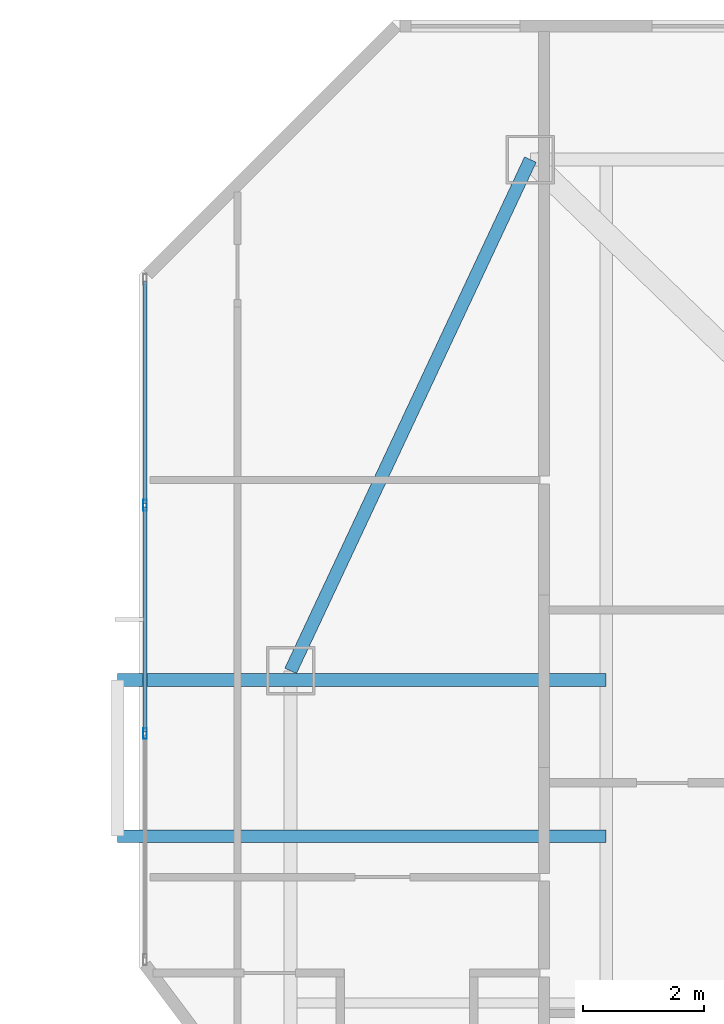
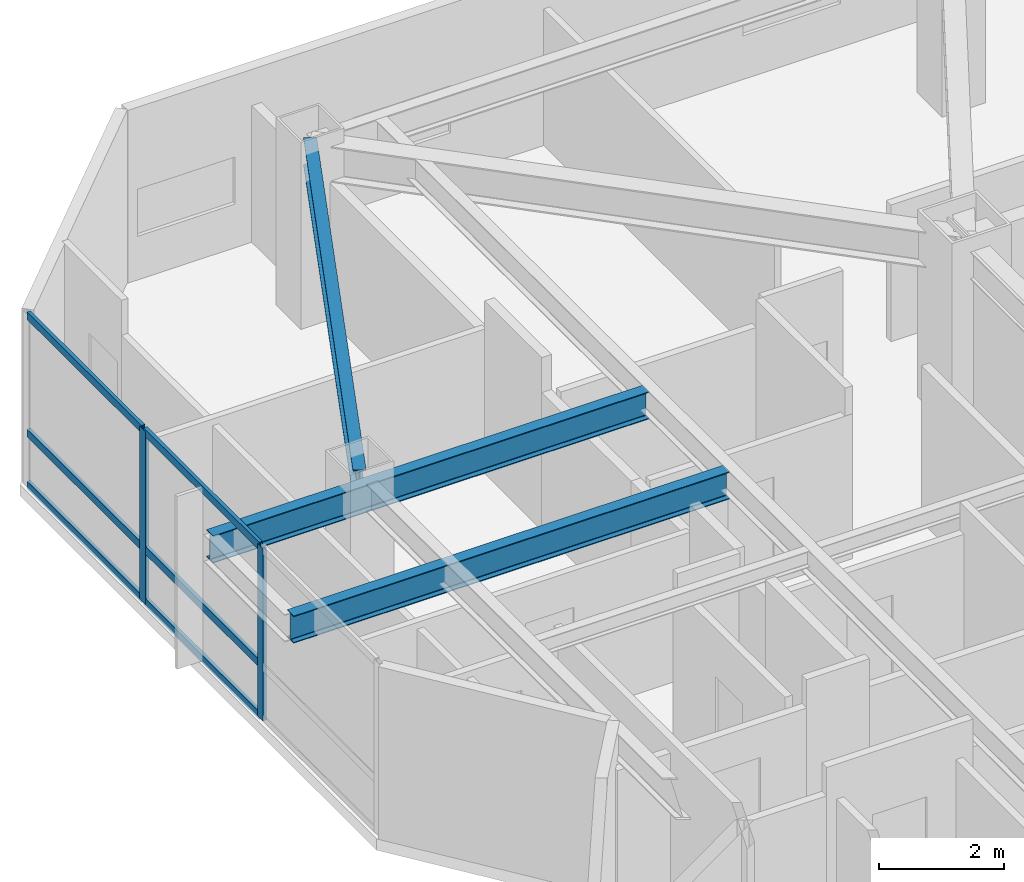
# One storey, part 4 of 20: 8 members, 3 beams, 1 element without a shape of its own.
"""IFC4 building model written with IfcOpenShell, lengths in metres."""

from ifc_helpers import new_model, si_unit, direction, frame, origin, origin_2d, place, context, subcontext, project, spatial, hollow_rectangle, i_section, extrude, material, material_profile, profile_set, type_object, element, aggregate, save


model = new_model("IFC4")

# Units and contexts
model_context = context("Model", 3, precision=1e-05, world=origin(), true_north=direction((0.0, 1.0)))
body_context = subcontext(model_context, "Body", "Model", "MODEL_VIEW")
ifc_project = project(units=[si_unit("LENGTHUNIT", "METRE"), si_unit("AREAUNIT", "SQUARE_METRE"), si_unit("VOLUMEUNIT", "CUBIC_METRE"), si_unit("PLANEANGLEUNIT", "RADIAN"), si_unit("MASSUNIT", "GRAM", prefix="KILO")], contexts=[model_context])

# Site, building, storey
site_placement = place(None, origin())
site = spatial("IfcSite", under=ifc_project, at=site_placement, CompositionType="ELEMENT")
building_placement = place(site_placement, origin())
building = spatial("IfcBuilding", under=site, at=building_placement, Name="Khamvora Tower", CompositionType="ELEMENT")
storey_placement = place(building_placement, frame((0.0, 0.0, 203.35009765625)))
storey = spatial("IfcBuildingStorey", under=building, at=storey_placement, Name="L52", CompositionType="ELEMENT", Elevation=203.35009765625)

# Beams
ifc_material_1 = material(Name="Steel S355", Category="steel")
ifc_material_profile_1 = material_profile(ifc_material_1, i_section(OverallWidth=0.2119140625, OverallDepth=0.5439453125, WebThickness=0.012939453125, FlangeThickness=0.02099609375, FilletRadius=0.013916015625, at=origin_2d()), Name="W530x123")
ifc_profile_set_1 = profile_set([ifc_material_profile_1], Name="Steel S355")
beam_type_1 = type_object("IfcBeamType", Name="BM-SP-W530x123", PredefinedType="SPANDREL", material=ifc_profile_set_1)
beam_placement = place(storey_placement, frame((21.25, 44.5, 3.097900390625), z_axis=(-0.424496391454, -0.905429629315, 0.0), x_axis=(0.905429629315, -0.424496391454, 0.0)))
element("IfcBeam", 1, at=beam_placement, inside=storey, type_object=beam_type_1, Name="L52 perimeter spandrel beam N1-W2", PredefinedType="SPANDREL", context=body_context, shape_type="SweptSolid", body=[
    extrude(i_section(OverallWidth=0.2119140625, OverallDepth=0.5439453125, WebThickness=0.012939453125, FlangeThickness=0.02099609375, FilletRadius=0.013916015625, at=origin_2d()), origin(), (0.0, 0.0, 1.0), 9.304931640625),
])
ifc_material_profile_2 = material_profile(ifc_material_1, i_section(OverallWidth=0.208984375, OverallDepth=0.532958984375, WebThickness=0.010009765625, FlangeThickness=0.01611328125, FilletRadius=0.013916015625, at=origin_2d()), Name="W530x92")
ifc_profile_set_2 = profile_set([ifc_material_profile_2], Name="Steel S355")
beam_type_2 = type_object("IfcBeamType", Name="BM-SP-W530x92", PredefinedType="SPANDREL", material=ifc_profile_set_2)
for number, where, z_axis, x_axis, name in (
    (2, (22.5, 33.35009765625, 2.9638671875), (-1.0, 0.0, 0.0), (0.0, -1.0, 0.0), "L52 continuous gallery cantilever girder L53-WL2-1"),
    (3, (22.5, 35.925048828125, 2.9638671875), (-1.0, 0.0, 0.0), (0.0, -1.0, 0.0), "L52 continuous gallery cantilever girder L53-WL2-2"),
):
    element("IfcBeam", number, at=place(storey_placement, frame(where, z_axis=z_axis, x_axis=x_axis)), inside=storey, type_object=beam_type_2, Name=name, PredefinedType="SPANDREL", context=body_context, shape_type="SweptSolid", body=[
        extrude(i_section(OverallWidth=0.208984375, OverallDepth=0.532958984375, WebThickness=0.010009765625, FlangeThickness=0.01611328125, FilletRadius=0.013916015625, at=origin_2d()), origin(), (0.0, 0.0, 1.0), 8.050048828125),
    ])

# Curtain wall, members
ifc_material_2 = material(Name="Anodised Aluminium 6063-T6", Category="aluminium")
curtain_wall_type = type_object("IfcCurtainWallType", Name="CW-SYS-04", PredefinedType="NOTDEFINED", material=ifc_material_2)
curtain_wall_placement = place(storey_placement, origin())
curtain_wall = element("IfcCurtainWall", 4, at=curtain_wall_placement, inside=storey, type_object=curtain_wall_type, Name="L52 stick curtain wall 05.1", PredefinedType="NOTDEFINED")
ifc_material_profile_3 = material_profile(ifc_material_2, hollow_rectangle(XDim=0.06494140625, YDim=0.179931640625, WallThickness=0.0048828125, at=origin_2d()), Name="MUL65x180x5")
ifc_profile_set_3 = profile_set([ifc_material_profile_3], Name="Anodised Aluminium 6063-T6")
member_type_1 = type_object("IfcMemberType", Name="CW-SYS-04-MUL", PredefinedType="MULLION", material=ifc_profile_set_3)
member_1_placement = place(storey_placement, frame((14.89990234375, 35.042236328125, 0.0), z_axis=(0.0, 0.0, 1.0), x_axis=(-1.0, 0.0, 0.0)))
member_1 = element("IfcMember", 5, at=member_1_placement, type_object=member_type_1, Name="CW-04 mullion 2", PredefinedType="MULLION", context=body_context, shape_type="SweptSolid", body=[
    extrude(hollow_rectangle(XDim=0.06494140625, YDim=0.179931640625, WallThickness=0.0048828125, at=origin_2d()), origin(), (0.0, 0.0, 1.0), 3.369873046875),
])
member_2_placement = place(storey_placement, frame((14.89990234375, 38.80078125, 0.0), z_axis=(0.0, 0.0, 1.0), x_axis=(-1.0, 0.0, 0.0)))
member_2 = element("IfcMember", 6, at=member_2_placement, type_object=member_type_1, Name="CW-04 mullion 3", PredefinedType="MULLION", context=body_context, shape_type="SweptSolid", body=[
    extrude(hollow_rectangle(XDim=0.06494140625, YDim=0.179931640625, WallThickness=0.0048828125, at=origin_2d()), origin(), (0.0, 0.0, 1.0), 3.369873046875),
])
ifc_material_profile_4 = material_profile(ifc_material_2, hollow_rectangle(XDim=0.06494140625, YDim=0.14990234375, WallThickness=0.0048828125, at=origin_2d()), Name="TRN65x150x5")
ifc_profile_set_4 = profile_set([ifc_material_profile_4], Name="Anodised Aluminium 6063-T6")
member_type_2 = type_object("IfcMemberType", Name="CW-SYS-04-TRN", PredefinedType="USERDEFINED", material=ifc_profile_set_4)
member_3_placement = place(storey_placement, frame((14.89990234375, 35.074951171875, 0.032470703125), z_axis=(0.0, 1.0, 0.0), x_axis=(-1.0, 0.0, 0.0)))
member_3 = element("IfcMember", 7, at=member_3_placement, type_object=member_type_2, Name="CW-04 transom 2.1", ObjectType="TRANSOM", PredefinedType="USERDEFINED", context=body_context, shape_type="SweptSolid", body=[
    extrude(hollow_rectangle(XDim=0.06494140625, YDim=0.14990234375, WallThickness=0.0048828125, at=origin_2d()), origin(), (0.0, 0.0, 1.0), 3.693115234375),
])
member_4_placement = place(storey_placement, frame((14.89990234375, 35.074951171875, 1.0498046875), z_axis=(0.0, 1.0, 0.0), x_axis=(-1.0, 0.0, 0.0)))
member_4 = element("IfcMember", 8, at=member_4_placement, type_object=member_type_2, Name="CW-04 transom 2.2", ObjectType="TRANSOM", PredefinedType="USERDEFINED", context=body_context, shape_type="SweptSolid", body=[
    extrude(hollow_rectangle(XDim=0.06494140625, YDim=0.14990234375, WallThickness=0.0048828125, at=origin_2d()), origin(), (0.0, 0.0, 1.0), 3.693115234375),
])
member_5_placement = place(storey_placement, frame((14.89990234375, 35.074951171875, 3.33740234375), z_axis=(0.0, 1.0, 0.0), x_axis=(-1.0, 0.0, 0.0)))
member_5 = element("IfcMember", 9, at=member_5_placement, type_object=member_type_2, Name="CW-04 transom 2.3", ObjectType="TRANSOM", PredefinedType="USERDEFINED", context=body_context, shape_type="SweptSolid", body=[
    extrude(hollow_rectangle(XDim=0.06494140625, YDim=0.14990234375, WallThickness=0.0048828125, at=origin_2d()), origin(), (0.0, 0.0, 1.0), 3.693115234375),
])
member_6_placement = place(storey_placement, frame((14.89990234375, 38.833251953125, 0.032470703125), z_axis=(0.0, 1.0, 0.0), x_axis=(-1.0, 0.0, 0.0)))
member_6 = element("IfcMember", 10, at=member_6_placement, type_object=member_type_2, Name="CW-04 transom 3.1", ObjectType="TRANSOM", PredefinedType="USERDEFINED", context=body_context, shape_type="SweptSolid", body=[
    extrude(hollow_rectangle(XDim=0.06494140625, YDim=0.14990234375, WallThickness=0.0048828125, at=origin_2d()), origin(), (0.0, 0.0, 1.0), 3.66064453125),
])
member_7_placement = place(storey_placement, frame((14.89990234375, 38.833251953125, 1.0498046875), z_axis=(0.0, 1.0, 0.0), x_axis=(-1.0, 0.0, 0.0)))
member_7 = element("IfcMember", 11, at=member_7_placement, type_object=member_type_2, Name="CW-04 transom 3.2", ObjectType="TRANSOM", PredefinedType="USERDEFINED", context=body_context, shape_type="SweptSolid", body=[
    extrude(hollow_rectangle(XDim=0.06494140625, YDim=0.14990234375, WallThickness=0.0048828125, at=origin_2d()), origin(), (0.0, 0.0, 1.0), 3.66064453125),
])
member_8_placement = place(storey_placement, frame((14.89990234375, 38.833251953125, 3.33740234375), z_axis=(0.0, 1.0, 0.0), x_axis=(-1.0, 0.0, 0.0)))
member_8 = element("IfcMember", 12, at=member_8_placement, type_object=member_type_2, Name="CW-04 transom 3.3", ObjectType="TRANSOM", PredefinedType="USERDEFINED", context=body_context, shape_type="SweptSolid", body=[
    extrude(hollow_rectangle(XDim=0.06494140625, YDim=0.14990234375, WallThickness=0.0048828125, at=origin_2d()), origin(), (0.0, 0.0, 1.0), 3.66064453125),
])
aggregate(curtain_wall, [member_1, member_2, member_3, member_4, member_5, member_6, member_7, member_8])

save(model, "model.ifc")
